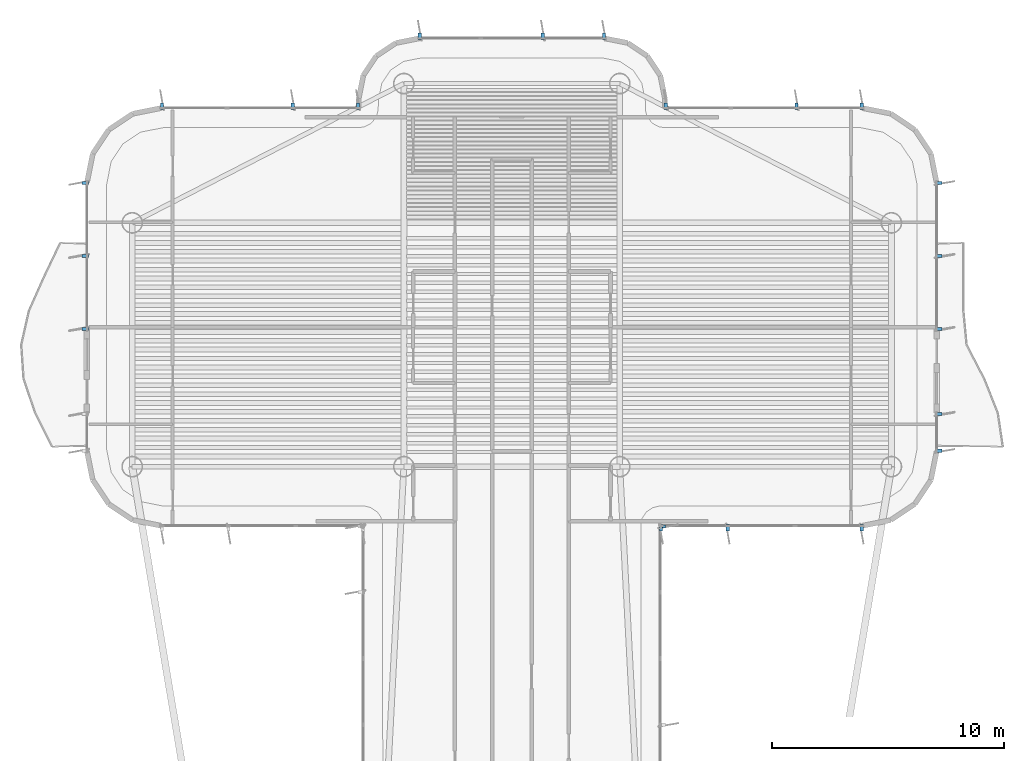
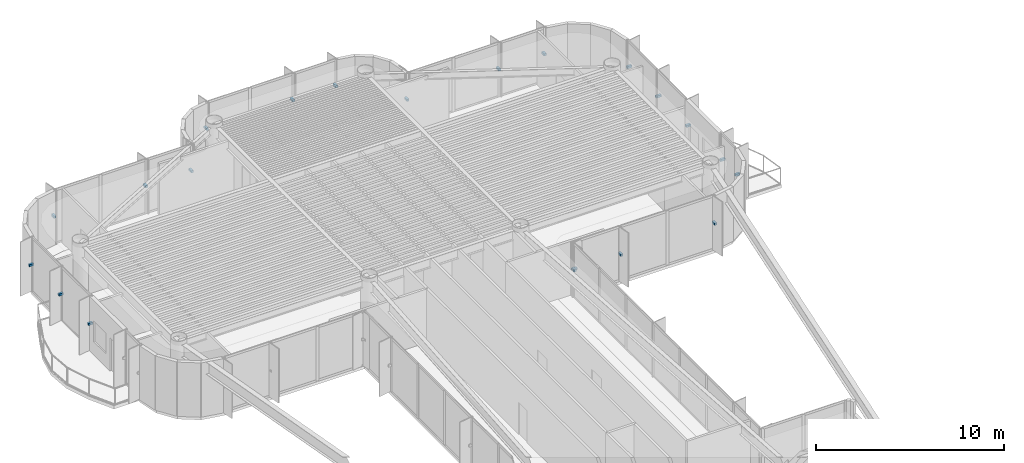
# One storey, part 14 of 16: 21 discrete accessories.
"""IFC4 building model written with IfcOpenShell, lengths in metres."""

import ifcopenshell
import ifcopenshell.guid

model = None  # the IFC model being written
_history = None  # IfcOwnerHistory: only IFC2X3 demands one
_inside = {}  # id of a spatial element -> (the spatial element, [elements in it])
_under = {}  # id of a project, library or spatial element -> (it, [spatial elements below it])
_declared = {}  # id of a project -> (the project, [libraries it declares])
_typed = {}  # id of a type object -> (the type object, [elements of that type])
_made_of = {}  # id of a material, layer set ... -> (it, [elements and type objects made of it])


def new_model(schema):
    """Start an empty IFC model of exactly this schema.

    Asked for "IFC4X3", IfcOpenShell would pick the latest addendum, in which some entities
    have other attributes; the version numbers below select the first issue.
    IFC2X3 requires an IfcOwnerHistory on every rooted entity: one is made here for all.
    """
    global model, _history
    if schema == "IFC4X3":
        model = ifcopenshell.file(schema_version=(4, 3, 0, 0))
    else:
        model = ifcopenshell.file(schema=schema)
    _inside.clear()
    _under.clear()
    _declared.clear()
    _typed.clear()
    _made_of.clear()
    _history = None
    if model.schema == "IFC2X3":
        org = make("IfcOrganization", Name="unknown")
        user = make(
            "IfcPersonAndOrganization",
            ThePerson=make("IfcPerson", FamilyName="unknown"),
            TheOrganization=org,
        )
        app = make(
            "IfcApplication",
            ApplicationDeveloper=org,
            Version="unknown",
            ApplicationFullName="unknown",
            ApplicationIdentifier="unknown",
        )
        _history = make(
            "IfcOwnerHistory",
            OwningUser=user,
            OwningApplication=app,
            ChangeAction="ADDED",
            CreationDate=0,
        )
    return model


def make(cls, **values):
    """One entity of the class cls with the attributes given. An attribute that is None is left unset."""
    return model.create_entity(
        cls, **{name: value for name, value in values.items() if value is not None}
    )


def rooted(cls, **values):
    """An entity with a GlobalId (a new one), such as an element, a storey or a relation."""
    return make(cls, GlobalId=ifcopenshell.guid.new(), OwnerHistory=_history, **values)


def si_unit(unit_type, name, prefix=None):
    """IfcSIUnit, for example si_unit("LENGTHUNIT", "METRE", prefix="MILLI")."""
    return make("IfcSIUnit", UnitType=unit_type, Prefix=prefix, Name=name)


def assignment(units):
    """IfcUnitAssignment: the units of a project."""
    return None if units is None else make("IfcUnitAssignment", Units=units)


def point(xyz):
    """IfcCartesianPoint."""
    return None if xyz is None else make("IfcCartesianPoint", Coordinates=xyz)


def direction(xyz):
    """IfcDirection."""
    return None if xyz is None else make("IfcDirection", DirectionRatios=xyz)


def frame(location, z_axis=None, x_axis=None):
    """IfcAxis2Placement3D, a coordinate frame: its origin and axes. An axis left out is left unset."""
    return make(
        "IfcAxis2Placement3D",
        Location=point(location),
        Axis=direction(z_axis),
        RefDirection=direction(x_axis),
    )


def frame_2d(location, x_axis=None):
    """IfcAxis2Placement2D, a coordinate frame in the plane: its origin and x axis."""
    return make(
        "IfcAxis2Placement2D", Location=point(location), RefDirection=direction(x_axis)
    )


def origin():
    """The frame at (0, 0, 0) with its axes left unset."""
    return frame((0.0, 0.0, 0.0))


def origin_2d():
    """The frame at (0, 0) in the plane with its x axis left unset."""
    return frame_2d((0.0, 0.0))


def place(relative_to, where):
    """IfcLocalPlacement: puts the frame where relative to a parent placement (None: the world)."""
    return make(
        "IfcLocalPlacement", PlacementRelTo=relative_to, RelativePlacement=where
    )


def context(
    kind, dimensions, precision=None, world=None, true_north=None, identifier=None
):
    """IfcGeometricRepresentationContext, for example the 3D "Model" context."""
    return make(
        "IfcGeometricRepresentationContext",
        ContextIdentifier=identifier,
        ContextType=kind,
        CoordinateSpaceDimension=dimensions,
        Precision=precision,
        WorldCoordinateSystem=world,
        TrueNorth=true_north,
    )


def subcontext(parent, identifier, kind, view, scale=None):
    """IfcGeometricRepresentationSubContext, for example "Body" below "Model"."""
    return make(
        "IfcGeometricRepresentationSubContext",
        ContextIdentifier=identifier,
        ContextType=kind,
        ParentContext=parent,
        TargetScale=scale,
        TargetView=view,
    )


def project(units=None, contexts=None):
    """IfcProject with its units and contexts."""
    return rooted(
        "IfcProject",
        Name="project",
        RepresentationContexts=contexts,
        UnitsInContext=assignment(units),
    )


def spatial(cls, under=None, at=None, **own):
    """A site, building, storey or space (cls), placed at a placement, below another one or the project."""
    s = rooted(cls, ObjectPlacement=at, **own)
    if under is not None:
        _under.setdefault(under.id(), (under, []))[1].append(s)
    return s


def profile(cls, at=None, kind="AREA", **sizes):
    """A parametric profile (cls). Its sizes go by their IFC names, for example OverallWidth=200.0."""
    return make(cls, ProfileType=kind, Position=at, **sizes)


def rectangle(**sizes):
    """IfcRectangleProfileDef."""
    return profile("IfcRectangleProfileDef", **sizes)


def extrude(swept, where, along, depth):
    """IfcExtrudedAreaSolid: the profile swept, set in the frame where, extruded along a direction by depth."""
    return make(
        "IfcExtrudedAreaSolid",
        SweptArea=swept,
        Position=where,
        ExtrudedDirection=direction(along),
        Depth=depth,
    )


def shape(context_of_items, identifier, shape_type, items):
    """IfcShapeRepresentation: the items that make up one representation, for example the "Body"."""
    return make(
        "IfcShapeRepresentation",
        ContextOfItems=context_of_items,
        RepresentationIdentifier=identifier,
        RepresentationType=shape_type,
        Items=items,
    )


def source(mapping_origin, context_of_items, identifier, shape_type, items):
    """IfcRepresentationMap: a shape defined once, which mapped items show again and again."""
    return make(
        "IfcRepresentationMap",
        MappingOrigin=mapping_origin,
        MappedRepresentation=shape(context_of_items, identifier, shape_type, items),
    )


def transform(
    local_origin,
    x_axis=None,
    y_axis=None,
    z_axis=None,
    scale=None,
    scale2=None,
    scale3=None,
    uniform=True,
):
    """IfcCartesianTransformationOperator3D, or its non-uniform kind. x_axis, y_axis, z_axis: its Axis1, 2, 3."""
    if uniform:
        return make(
            "IfcCartesianTransformationOperator3D",
            Axis1=direction(x_axis),
            Axis2=direction(y_axis),
            LocalOrigin=point(local_origin),
            Scale=scale,
            Axis3=direction(z_axis),
        )
    return make(
        "IfcCartesianTransformationOperator3DnonUniform",
        Axis1=direction(x_axis),
        Axis2=direction(y_axis),
        LocalOrigin=point(local_origin),
        Scale=scale,
        Axis3=direction(z_axis),
        Scale2=scale2,
        Scale3=scale3,
    )


def mapped(mapping_source, mapping_target):
    """IfcMappedItem: shows the shape of a source again, moved by a transform."""
    return make(
        "IfcMappedItem", MappingSource=mapping_source, MappingTarget=mapping_target
    )


def material(Name=None, Category=None):
    """IfcMaterial."""
    return make("IfcMaterial", Name=Name, Category=Category)


def made_of(thing, what):
    """Note that an element or type object is made of a material, layer set ...; save() writes the relation."""
    if what is not None:
        _made_of.setdefault(what.id(), (what, []))[1].append(thing)
    return thing


def type_object(cls, material=None, **own):
    """A type object (cls), such as IfcWallType, which elements share."""
    return made_of(rooted(cls, **own), material)


def element(
    cls,
    number,
    at=None,
    inside=None,
    cuts=None,
    type_object=None,
    material=None,
    context=None,
    identifier="Body",
    shape_type=None,
    held_by="IfcProductDefinitionShape",
    body=None,
    shapes=None,
    **own,
):
    """One element of the class cls, such as IfcWall. Its Tag is "e" and its number.

    at: its placement. inside: the storey or other place that contains it. cuts: it is an
    opening in that element (IfcRelVoidsElement). A single representation is given by context,
    identifier, shape_type and body (its items); several are given by shapes. held_by: the class
    of the entity that holds the representations. save() writes the other relations.
    """
    e = rooted(cls, Tag="e%d" % number, ObjectPlacement=at, **own)
    if body is not None:
        shapes = [shape(context, identifier, shape_type, body)]
    if shapes is not None:
        e.Representation = make(held_by, Representations=shapes)
    if inside is not None:
        _inside.setdefault(inside.id(), (inside, []))[1].append(e)
    if cuts is not None:
        rooted(
            "IfcRelVoidsElement", RelatingBuildingElement=cuts, RelatedOpeningElement=e
        )
    if type_object is not None:
        _typed.setdefault(type_object.id(), (type_object, []))[1].append(e)
    return made_of(e, material)


def aggregate(whole, parts):
    """IfcRelAggregates: a whole, such as a stair, and the parts it consists of."""
    return rooted("IfcRelAggregates", RelatingObject=whole, RelatedObjects=parts)


def save(model, path):
    """Write the relations noted so far, then the file.

    IfcRelAggregates (storeys below a building ...), IfcRelContainedInSpatialStructure (elements
    in a storey), IfcRelDefinesByType, IfcRelAssociatesMaterial and IfcRelDeclares: one each for
    every whole, place, type object, material and project.
    """
    for whole, parts in _under.values():
        aggregate(whole, parts)
    for where, things in _inside.values():
        rooted(
            "IfcRelContainedInSpatialStructure",
            RelatedElements=things,
            RelatingStructure=where,
        )
    for kind, things in _typed.values():
        rooted("IfcRelDefinesByType", RelatedObjects=things, RelatingType=kind)
    for what, things in _made_of.values():
        rooted("IfcRelAssociatesMaterial", RelatedObjects=things, RelatingMaterial=what)
    for by, libraries in _declared.values():
        rooted("IfcRelDeclares", RelatingContext=by, RelatedDefinitions=libraries)
    model.write(path)


model = new_model("IFC4")

# Units and contexts
model_context = context("Model", 3, precision=1e-05, world=origin(), true_north=direction((0.0, 1.0)))
body_context = subcontext(model_context, "Body", "Model", "MODEL_VIEW")
ifc_project = project(units=[si_unit("LENGTHUNIT", "METRE"), si_unit("AREAUNIT", "SQUARE_METRE"), si_unit("VOLUMEUNIT", "CUBIC_METRE"), si_unit("PLANEANGLEUNIT", "RADIAN"), si_unit("MASSUNIT", "GRAM", prefix="KILO")], contexts=[model_context])

# Site, building, storey
site_placement = place(None, origin())
site = spatial("IfcSite", under=ifc_project, at=site_placement, CompositionType="ELEMENT")
building_placement = place(site_placement, origin())
building = spatial("IfcBuilding", under=site, at=building_placement, Name="Brelvock Crest Care Tower", CompositionType="ELEMENT")
storey_placement = place(building_placement, frame((0.0, 0.0, 226.800048828125)))
storey = spatial("IfcBuildingStorey", under=building, at=storey_placement, Name="L57", CompositionType="ELEMENT", Elevation=226.800048828125)

# Discrete accessories
ifc_material = material(Name="Steel Grade 350", Category="steel")
discrete_accessory_type = type_object("IfcDiscreteAccessoryType", Name="ACC-BRK1", PredefinedType="BRACKET", material=ifc_material)
shared_shape = source(origin(), body_context, "Body", "SweptSolid", [
    extrude(rectangle(XDim=0.280029296875, YDim=0.139892578125, at=origin_2d()), origin(), (0.0, 0.0, 1.0), 0.139892578125),
])
for number, where, z_axis, x_axis, name in (
    (1, (17.6201171875, 49.8798828125, 1.69482421875), (0.0, 0.0, 1.0), (-1.0, 0.0, 0.0), "L57 Facade Fin Bracket E17B-01"),
    (2, (17.6201171875, 53.02490234375, 1.69482421875), (0.0, 0.0, 1.0), (-1.0, 0.0, 0.0), "L57 Facade Fin Bracket E17B-02"),
    (3, (17.6201171875, 56.169921875, 1.69482421875), (0.0, 0.0, 1.0), (-1.0, 0.0, 0.0), "L57 Facade Fin Bracket E17B-03"),
    (4, (20.929931640625, 59.47998046875, 1.69482421875), (0.0, 0.0, 1.0), (0.0, 1.0, 0.0), "L57 Facade Fin Bracket E22-01"),
    (5, (26.566650390625, 59.47998046875, 1.69482421875), (0.0, 0.0, 1.0), (0.0, 1.0, 0.0), "L57 Facade Fin Bracket E22-03"),
    (6, (29.3701171875, 59.47998046875, 1.69482421875), (0.0, 0.0, 1.0), (0.0, 1.0, 0.0), "L57 Facade Fin Bracket E22-04"),
    (7, (32.030029296875, 62.47998046875, 1.69482421875), (0.0, 0.0, 1.0), (0.0, 1.0, 0.0), "L57 Facade Fin Bracket E28-01"),
    (8, (37.333251953125, 62.47998046875, 1.69482421875), (0.0, 0.0, 1.0), (0.0, 1.0, 0.0), "L57 Facade Fin Bracket E28-03"),
    (9, (39.969970703125, 62.47998046875, 1.69482421875), (0.0, 0.0, 1.0), (0.0, 1.0, 0.0), "L57 Facade Fin Bracket E28-04"),
    (10, (42.6298828125, 59.47998046875, 1.69482421875), (0.0, 0.0, 1.0), (0.0, 1.0, 0.0), "L57 Facade Fin Bracket E34-01"),
    (11, (48.2666015625, 59.47998046875, 1.69482421875), (0.0, 0.0, 1.0), (0.0, 1.0, 0.0), "L57 Facade Fin Bracket E34-03"),
    (12, (51.070068359375, 59.47998046875, 1.69482421875), (0.0, 0.0, 1.0), (0.0, 1.0, 0.0), "L57 Facade Fin Bracket E34-04"),
    (13, (54.3798828125, 56.169921875, 1.69482421875), (0.0, 0.0, 1.0), (1.0, 0.0, 0.0), "L57 Facade Fin Bracket E39A-01"),
    (14, (54.3798828125, 53.02490234375, 1.69482421875), (0.0, 0.0, 1.0), (1.0, 0.0, 0.0), "L57 Facade Fin Bracket E39A-02"),
    (15, (54.3798828125, 49.8798828125, 1.69482421875), (0.0, 0.0, 1.0), (1.0, 0.0, 0.0), "L57 Facade Fin Bracket E39A-03"),
    (16, (54.3798828125, 46.219970703125, 1.69482421875), (0.0, 0.0, 1.0), (1.0, 0.0, 0.0), "L57 Facade Fin Bracket E39B-01"),
    (17, (54.3798828125, 44.6298828125, 1.69482421875), (0.0, 0.0, 1.0), (1.0, 0.0, 0.0), "L57 Facade Fin Bracket E39B-02"),
    (18, (51.070068359375, 41.320068359375, 1.69482421875), (0.0, 0.0, 1.0), (0.0, -1.0, 0.0), "L57 Facade Fin Bracket E44-01"),
    (19, (45.300048828125, 41.320068359375, 1.69482421875), (0.0, 0.0, 1.0), (0.0, -1.0, 0.0), "L57 Facade Fin Bracket E44-03"),
    (20, (42.429931640625, 41.320068359375, 1.69482421875), (0.0, 0.0, 1.0), (0.0, -1.0, 0.0), "L57 Facade Fin Bracket E44-04"),
    (21, (42.47998046875, 41.3701171875, 1.69482421875), (0.0, 0.0, 1.0), (1.0, 0.0, 0.0), "L57 Facade Fin Bracket E45-01"),
):
    element("IfcDiscreteAccessory", number, at=place(storey_placement, frame(where, z_axis=z_axis, x_axis=x_axis)), inside=storey, type_object=discrete_accessory_type, Name=name, PredefinedType="BRACKET", context=body_context, shape_type="MappedRepresentation", body=[
        mapped(shared_shape, transform((0.0, 0.0, 0.0), x_axis=(1.0, 0.0, 0.0), y_axis=(0.0, 1.0, 0.0), z_axis=(0.0, 0.0, 1.0), scale=1.0)),
    ])

save(model, "model.ifc")
